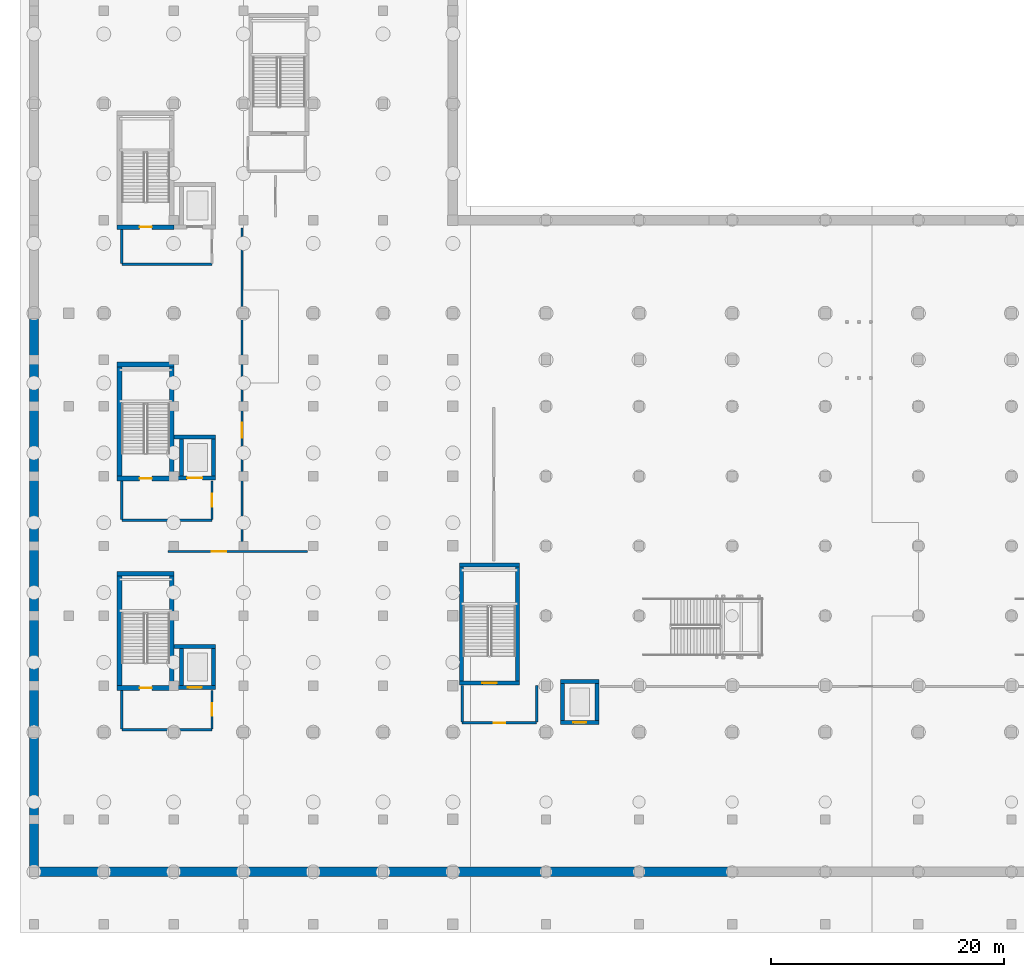
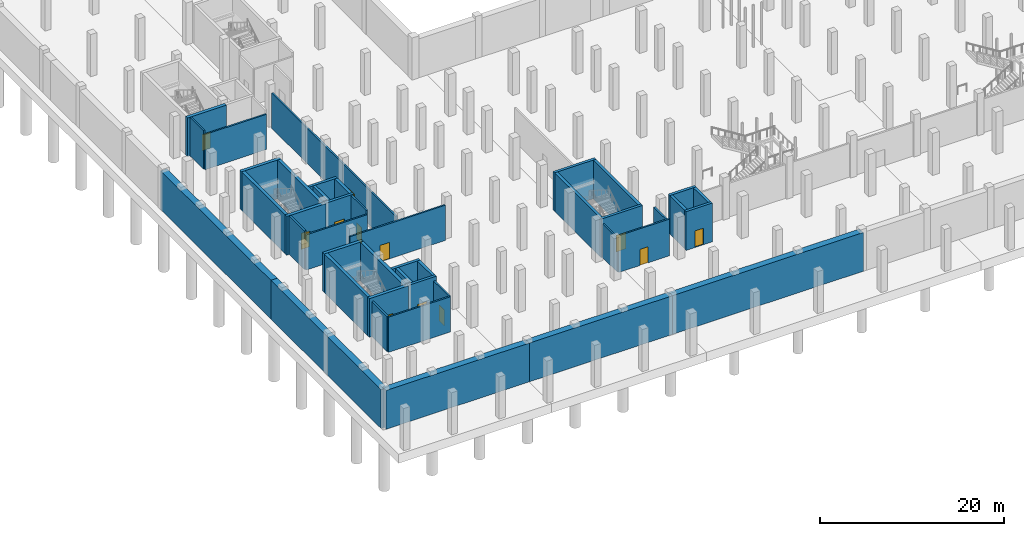
# One storey, part 11 of 26: 43 walls, 12 doors, 12 openings.
"""IFC4 building model written with IfcOpenShell, lengths in metres."""

from ifc_helpers import new_model, si_unit, direction, frame, frame_2d, origin, place, context, subcontext, project, spatial, rectangle, extrude, material, layer, layer_set, type_object, element, fill, save


model = new_model("IFC4")

# Units and contexts
model_context = context("Model", 3, precision=1e-05, world=origin(), true_north=direction((0.0, 1.0)))
body_context = subcontext(model_context, "Body", "Model", "MODEL_VIEW")
ifc_project = project(units=[si_unit("LENGTHUNIT", "METRE"), si_unit("AREAUNIT", "SQUARE_METRE"), si_unit("VOLUMEUNIT", "CUBIC_METRE"), si_unit("PLANEANGLEUNIT", "RADIAN"), si_unit("MASSUNIT", "GRAM", prefix="KILO")], contexts=[model_context])

# Site, building, storey
site_placement = place(None, origin())
site = spatial("IfcSite", under=ifc_project, at=site_placement, CompositionType="ELEMENT")
building_placement = place(site_placement, origin())
building = spatial("IfcBuilding", under=site, at=building_placement, Name="Verrall Gate Interchange", CompositionType="ELEMENT")
storey_placement = place(building_placement, frame((0.0, 0.0, -10.39990234375)))
storey = spatial("IfcBuildingStorey", under=building, at=storey_placement, Name="B2", CompositionType="ELEMENT", Elevation=-10.39990234375)

# Walls
ifc_material_1 = material(Name="Fire-Rated Type X Gypsum Stud Partition Assembly (60 min)", Category="gypsum")
ifc_layer_1 = layer(ifc_material_1, 0.199951171875)
ifc_layer_set_1 = layer_set([ifc_layer_1], Name="Fire-Rated Type X Gypsum Stud Partition Assembly (60 min)")
wall_type_1 = type_object("IfcWallType", Name="IW-01 Interior Partition Wall 200", PredefinedType="PARTITIONING", material=ifc_layer_set_1)
wall_1_placement = place(storey_placement, frame((7.550048828125, 12.199951171875, 0.0), z_axis=(0.0, 0.0, 1.0), x_axis=(1.0, 0.0, 0.0)))
element("IfcWall", 1, at=wall_1_placement, inside=storey, type_object=wall_type_1, Name="B2 Core C1 Lobby South Rated Wall", PredefinedType="PARTITIONING", context=body_context, shape_type="SweptSolid", body=[
    extrude(rectangle(XDim=7.75, YDim=0.199951171875, at=frame_2d((3.875, 0.0))), origin(), (0.0, 0.0, 1.0), 4.679931640625),
])
wall_2_placement = place(storey_placement, frame((7.550048828125, 15.60009765625, 0.0), z_axis=(0.0, 0.0, 1.0), x_axis=(0.0, -1.0, 0.0)))
element("IfcWall", 2, at=wall_2_placement, inside=storey, type_object=wall_type_1, Name="B2 Core C1 Lobby West Rated Wall", PredefinedType="PARTITIONING", context=body_context, shape_type="SweptSolid", body=[
    extrude(rectangle(XDim=3.320068359375, YDim=0.199951171875, at=frame_2d((1.66015625, 0.0))), origin(), (0.0, 0.0, 1.0), 4.679931640625),
])

# Wall, opening, door
wall_3_placement = place(storey_placement, frame((15.300048828125, 12.280029296875, 0.0), z_axis=(0.0, 0.0, 1.0), x_axis=(0.0, 1.0, 0.0)))
wall_3 = element("IfcWall", 3, at=wall_3_placement, inside=storey, type_object=wall_type_1, Name="B2 Core C1 Lobby East Rated Wall", PredefinedType="PARTITIONING", context=body_context, shape_type="SweptSolid", body=[
    extrude(rectangle(XDim=3.320068359375, YDim=0.199951171875, at=frame_2d((1.66015625, 0.0))), origin(), (0.0, 0.0, 1.0), 4.679931640625),
])
opening_1_placement = place(wall_3_placement, frame((1.110107421875, 0.0, 0.0)))
opening_1 = element("IfcOpeningElement", 4, at=opening_1_placement, cuts=wall_3, Name="Opening LBD010", PredefinedType="OPENING", context=body_context, shape_type="SweptSolid", body=[
    extrude(rectangle(XDim=1.10009765625, YDim=2.14990234375, at=frame_2d((0.550048828125, 1.074951171875))), frame((0.0, 0.11474609375, 0.0), z_axis=(0.0, -1.0, 0.0), x_axis=(1.0, 0.0, 0.0)), (0.0, 0.0, 1.0), 0.229736328125),
])
ifc_material_2 = material(Name="Hollow-Metal Fire-Rated Door Assembly", Category="metal")
door_type_1 = type_object("IfcDoorType", Name="ID-06 Interior Swing Door 1100x2150", OperationType="NOTDEFINED", PredefinedType="DOOR", material=ifc_material_2)
door_1_placement = place(opening_1_placement, origin())
door_1 = element("IfcDoor", 5, at=door_1_placement, inside=storey, type_object=door_type_1, Name="B2 Core C1 Lobby Fire Door LBD010", OperationType="SINGLE_SWING_RIGHT", OverallHeight=2.14990234375, OverallWidth=1.10009765625, PredefinedType="DOOR", context=body_context, shape_type="SweptSolid", body=[
    extrude(rectangle(XDim=1.10009765625, YDim=2.14990234375, at=frame_2d((0.550048828125, 1.074951171875))), frame((0.0, 0.02490234375, 0.0), z_axis=(0.0, -1.0, 0.0), x_axis=(1.0, 0.0, 0.0)), (0.0, 0.0, 1.0), 0.050048828125),
])
fill(opening_1, door_1)

# Walls
wall_4_placement = place(storey_placement, frame((7.550048828125, 30.199951171875, 0.0), z_axis=(0.0, 0.0, 1.0), x_axis=(1.0, 0.0, 0.0)))
element("IfcWall", 6, at=wall_4_placement, inside=storey, type_object=wall_type_1, Name="B2 Core C2 Lobby South Rated Wall", PredefinedType="PARTITIONING", context=body_context, shape_type="SweptSolid", body=[
    extrude(rectangle(XDim=7.75, YDim=0.199951171875, at=frame_2d((3.875, 0.0))), origin(), (0.0, 0.0, 1.0), 4.679931640625),
])
wall_5_placement = place(storey_placement, frame((7.550048828125, 33.60009765625, 0.0), z_axis=(0.0, 0.0, 1.0), x_axis=(0.0, -1.0, 0.0)))
element("IfcWall", 7, at=wall_5_placement, inside=storey, type_object=wall_type_1, Name="B2 Core C2 Lobby West Rated Wall", PredefinedType="PARTITIONING", context=body_context, shape_type="SweptSolid", body=[
    extrude(rectangle(XDim=3.320068359375, YDim=0.199951171875, at=frame_2d((1.66015625, 0.0))), origin(), (0.0, 0.0, 1.0), 5.14990234375),
])

# Wall, opening, door
wall_6_placement = place(storey_placement, frame((15.300048828125, 30.280029296875, 0.0), z_axis=(0.0, 0.0, 1.0), x_axis=(0.0, 1.0, 0.0)))
wall_6 = element("IfcWall", 8, at=wall_6_placement, inside=storey, type_object=wall_type_1, Name="B2 Core C2 Lobby East Rated Wall", PredefinedType="PARTITIONING", context=body_context, shape_type="SweptSolid", body=[
    extrude(rectangle(XDim=3.320068359375, YDim=0.199951171875, at=frame_2d((1.66015625, 0.0))), origin(), (0.0, 0.0, 1.0), 5.14990234375),
])
opening_2_placement = place(wall_6_placement, frame((1.110107421875, 0.0, 0.0)))
opening_2 = element("IfcOpeningElement", 9, at=opening_2_placement, cuts=wall_6, Name="Opening LBD028", PredefinedType="OPENING", context=body_context, shape_type="SweptSolid", body=[
    extrude(rectangle(XDim=1.10009765625, YDim=2.14990234375, at=frame_2d((0.550048828125, 1.074951171875))), frame((0.0, 0.11474609375, 0.0), z_axis=(0.0, -1.0, 0.0), x_axis=(1.0, 0.0, 0.0)), (0.0, 0.0, 1.0), 0.229736328125),
])
door_2_placement = place(opening_2_placement, origin())
door_2 = element("IfcDoor", 10, at=door_2_placement, inside=storey, type_object=door_type_1, Name="B2 Core C2 Lobby Fire Door LBD028", OperationType="SINGLE_SWING_RIGHT", OverallHeight=2.14990234375, OverallWidth=1.10009765625, PredefinedType="DOOR", context=body_context, shape_type="SweptSolid", body=[
    extrude(rectangle(XDim=1.10009765625, YDim=2.14990234375, at=frame_2d((0.550048828125, 1.074951171875))), frame((0.0, 0.02490234375, 0.0), z_axis=(0.0, -1.0, 0.0), x_axis=(1.0, 0.0, 0.0)), (0.0, 0.0, 1.0), 0.050048828125),
])
fill(opening_2, door_2)

# Walls
wall_7_placement = place(storey_placement, frame((7.550048828125, 52.199951171875, 0.0), z_axis=(0.0, 0.0, 1.0), x_axis=(1.0, 0.0, 0.0)))
element("IfcWall", 11, at=wall_7_placement, inside=storey, type_object=wall_type_1, Name="B2 Core C3 Lobby South Rated Wall", PredefinedType="PARTITIONING", context=body_context, shape_type="SweptSolid", body=[
    extrude(rectangle(XDim=7.75, YDim=0.199951171875, at=frame_2d((3.875, 0.0))), origin(), (0.0, 0.0, 1.0), 4.679931640625),
])
wall_8_placement = place(storey_placement, frame((7.550048828125, 55.199951171875, 0.0), z_axis=(0.0, 0.0, 1.0), x_axis=(0.0, -1.0, 0.0)))
element("IfcWall", 12, at=wall_8_placement, inside=storey, type_object=wall_type_1, Name="B2 Core C3 Lobby West Rated Wall", PredefinedType="PARTITIONING", context=body_context, shape_type="SweptSolid", body=[
    extrude(rectangle(XDim=2.919921875, YDim=0.199951171875, at=frame_2d((1.4599609375, 0.0))), origin(), (0.0, 0.0, 1.0), 5.14990234375),
])

# Wall, opening, door
wall_9_placement = place(storey_placement, frame((36.800048828125, 12.800048828125, 0.0), z_axis=(0.0, 0.0, 1.0), x_axis=(1.0, 0.0, 0.0)))
wall_9 = element("IfcWall", 13, at=wall_9_placement, inside=storey, type_object=wall_type_1, Name="B2 Core C5 Lobby South Rated Wall", PredefinedType="PARTITIONING", context=body_context, shape_type="SweptSolid", body=[
    extrude(rectangle(XDim=6.39990234375, YDim=0.199951171875, at=frame_2d((3.199951171875, 0.0))), origin(), (0.0, 0.0, 1.0), 4.876953125),
])
opening_3_placement = place(wall_9_placement, frame((2.699951171875, 0.0, 0.0)))
opening_3 = element("IfcOpeningElement", 14, at=opening_3_placement, cuts=wall_9, Name="Opening LBD067", PredefinedType="OPENING", context=body_context, shape_type="SweptSolid", body=[
    extrude(rectangle(XDim=1.0, YDim=2.14990234375, at=frame_2d((0.5, 1.074951171875))), frame((0.0, 0.11474609375, 0.0), z_axis=(0.0, -1.0, 0.0), x_axis=(1.0, 0.0, 0.0)), (0.0, 0.0, 1.0), 0.229736328125),
])
ifc_material_3 = material(Name="Hollow-Metal Fire-Rated Door Assembly", Category="metal")
door_type_2 = type_object("IfcDoorType", Name="ID-05 Interior Swing Door 1000x2150", OperationType="NOTDEFINED", PredefinedType="DOOR", material=ifc_material_3)
door_3_placement = place(opening_3_placement, origin())
door_3 = element("IfcDoor", 15, at=door_3_placement, inside=storey, type_object=door_type_2, Name="B2 Core C5 Lobby Fire Door LBD067", OperationType="SINGLE_SWING_LEFT", OverallHeight=2.14990234375, OverallWidth=1.0, PredefinedType="DOOR", context=body_context, shape_type="SweptSolid", body=[
    extrude(rectangle(XDim=1.0, YDim=2.14990234375, at=frame_2d((0.5, 1.074951171875))), frame((0.0, 0.02490234375, 0.0), z_axis=(0.0, -1.0, 0.0), x_axis=(1.0, 0.0, 0.0)), (0.0, 0.0, 1.0), 0.050048828125),
])
fill(opening_3, door_3)

# Walls
for number, where, z_axis, x_axis, name in (
    (16, (36.800048828125, 16.0, 0.0), (0.0, 0.0, 1.0), (0.0, -1.0, 0.0), "B2 Core C5 Lobby West Rated Wall"),
    (17, (43.199951171875, 12.8798828125, 0.0), (0.0, 0.0, 1.0), (0.0, 1.0, 0.0), "B2 Core C5 Lobby East Rated Wall"),
):
    element("IfcWall", number, at=place(storey_placement, frame(where, z_axis=z_axis, x_axis=x_axis)), inside=storey, type_object=wall_type_1, Name=name, PredefinedType="PARTITIONING", context=body_context, shape_type="SweptSolid", body=[
        extrude(rectangle(XDim=3.1201171875, YDim=0.199951171875, at=frame_2d((1.56005859375, 0.0))), origin(), (0.0, 0.0, 1.0), 4.47998046875),
    ])

# Wall, opening, door
wall_10_placement = place(storey_placement, frame((11.52001953125, 27.52001953125, 0.0), z_axis=(0.0, 0.0, 1.0), x_axis=(1.0, 0.0, 0.0)))
wall_10 = element("IfcWall", 18, at=wall_10_placement, inside=storey, type_object=wall_type_1, Name="B2 West Metro Tunnel Ventilation Fan Plant Partition 003", PredefinedType="PARTITIONING", context=body_context, shape_type="SweptSolid", body=[
    extrude(rectangle(XDim=12.0, YDim=0.199951171875, at=frame_2d((6.0, 0.0))), origin(), (0.0, 0.0, 1.0), 4.679931640625),
])
opening_4_placement = place(wall_10_placement, frame((3.77294921875, 0.0, 0.0)))
opening_4 = element("IfcOpeningElement", 19, at=opening_4_placement, cuts=wall_10, Name="Opening D003", PredefinedType="OPENING", context=body_context, shape_type="SweptSolid", body=[
    extrude(rectangle(XDim=1.219970703125, YDim=2.199951171875, at=frame_2d((0.60986328125, 1.10009765625))), frame((0.0, 0.11474609375, 0.0), z_axis=(0.0, -1.0, 0.0), x_axis=(1.0, 0.0, 0.0)), (0.0, 0.0, 1.0), 0.229736328125),
])
ifc_material_4 = material(Name="Hollow-Metal Fire-Rated Door Assembly", Category="metal")
door_type_3 = type_object("IfcDoorType", Name="ID-07 Interior Swing Door 1220x2200", OperationType="NOTDEFINED", PredefinedType="DOOR", material=ifc_material_4)
door_4_placement = place(opening_4_placement, origin())
door_4 = element("IfcDoor", 20, at=door_4_placement, inside=storey, type_object=door_type_3, Name="B2 West Metro Tunnel Ventilation Fan Plant Door D003", OperationType="SINGLE_SWING_RIGHT", OverallHeight=2.199951171875, OverallWidth=1.219970703125, PredefinedType="DOOR", context=body_context, shape_type="SweptSolid", body=[
    extrude(rectangle(XDim=1.219970703125, YDim=2.199951171875, at=frame_2d((0.60986328125, 1.10009765625))), frame((0.0, 0.02490234375, 0.0), z_axis=(0.0, -1.0, 0.0), x_axis=(1.0, 0.0, 0.0)), (0.0, 0.0, 1.0), 0.050048828125),
])
fill(opening_4, door_4)

wall_11_placement = place(storey_placement, frame((17.8798828125, 28.280029296875, 0.0), z_axis=(0.0, 0.0, 1.0), x_axis=(0.0, 1.0, 0.0)))
wall_11 = element("IfcWall", 21, at=wall_11_placement, inside=storey, type_object=wall_type_1, Name="B2 West Under-Platform Exhaust Plant Partition 004", PredefinedType="PARTITIONING", context=body_context, shape_type="SweptSolid", body=[
    extrude(rectangle(XDim=27.0400390625, YDim=0.199951171875, at=frame_2d((13.52001953125, 0.0))), origin(), (0.0, 0.0, 1.0), 4.679931640625),
])
opening_5_placement = place(wall_11_placement, frame((9.001953125, 0.0, 0.0)))
opening_5 = element("IfcOpeningElement", 22, at=opening_5_placement, cuts=wall_11, Name="Opening D004", PredefinedType="OPENING", context=body_context, shape_type="SweptSolid", body=[
    extrude(rectangle(XDim=1.320068359375, YDim=2.199951171875, at=frame_2d((0.66015625, 1.10009765625))), frame((0.0, 0.11474609375, 0.0), z_axis=(0.0, -1.0, 0.0), x_axis=(1.0, 0.0, 0.0)), (0.0, 0.0, 1.0), 0.229736328125),
])
ifc_material_5 = material(Name="Hollow-Metal Fire-Rated Door Assembly", Category="metal")
door_type_4 = type_object("IfcDoorType", Name="ID-08 Interior Swing Door 1320x2200", OperationType="NOTDEFINED", PredefinedType="DOOR", material=ifc_material_5)
door_5_placement = place(opening_5_placement, origin())
door_5 = element("IfcDoor", 23, at=door_5_placement, inside=storey, type_object=door_type_4, Name="B2 West Under-Platform Exhaust Plant Door D004", OperationType="SINGLE_SWING_LEFT", OverallHeight=2.199951171875, OverallWidth=1.320068359375, PredefinedType="DOOR", context=body_context, shape_type="SweptSolid", body=[
    extrude(rectangle(XDim=1.320068359375, YDim=2.199951171875, at=frame_2d((0.66015625, 1.10009765625))), frame((0.0, 0.02490234375, 0.0), z_axis=(0.0, -1.0, 0.0), x_axis=(1.0, 0.0, 0.0)), (0.0, 0.0, 1.0), 0.050048828125),
])
fill(opening_5, door_5)

# Walls
ifc_material_6 = material(Name="Concrete CSA A23.1 35 MPa (Class S-2)", Category="concrete")
ifc_layer_2 = layer(ifc_material_6, 0.800048828125)
ifc_layer_set_2 = layer_set([ifc_layer_2], Name="Concrete CSA A23.1 35 MPa (Class S-2)")
wall_type_2 = type_object("IfcWallType", Name="RW-01 Diaphragm Retaining Wall 800", PredefinedType="USERDEFINED", material=ifc_layer_set_2)
for number, where, z_axis, x_axis, name in (
    (24, (0.0, 0.0, 0.0), (0.0, 0.0, 1.0), (1.0, 0.0, 0.0), "B2 Diaphragm Retaining Wall 001"),
    (25, (18.0, 0.0, 0.0), (0.0, 0.0, 1.0), (1.0, 0.0, 0.0), "B2 Diaphragm Retaining Wall 002"),
):
    element("IfcWall", number, at=place(storey_placement, frame(where, z_axis=z_axis, x_axis=x_axis)), inside=storey, type_object=wall_type_2, Name=name, ObjectType="RETAININGWALL", PredefinedType="USERDEFINED", context=body_context, shape_type="SweptSolid", body=[
        extrude(rectangle(XDim=18.0, YDim=0.800048828125, at=frame_2d((9.0, 0.0))), origin(), (0.0, 0.0, 1.0), 5.14990234375),
    ])
for number, where, z_axis, x_axis, name in (
    (26, (36.0, 0.0, 0.0), (0.0, 0.0, 1.0), (1.0, 0.0, 0.0), "B2 Diaphragm Retaining Wall 003"),
    (27, (0.0, 48.0, 0.0), (0.0, 0.0, 1.0), (0.0, -1.0, 0.0), "B2 Diaphragm Retaining Wall 023"),
    (28, (0.0, 24.0, 0.0), (0.0, 0.0, 1.0), (0.0, -1.0, 0.0), "B2 Diaphragm Retaining Wall 024"),
):
    element("IfcWall", number, at=place(storey_placement, frame(where, z_axis=z_axis, x_axis=x_axis)), inside=storey, type_object=wall_type_2, Name=name, ObjectType="RETAININGWALL", PredefinedType="USERDEFINED", context=body_context, shape_type="SweptSolid", body=[
        extrude(rectangle(XDim=24.0, YDim=0.800048828125, at=frame_2d((12.0, 0.0))), origin(), (0.0, 0.0, 1.0), 5.14990234375),
    ])

# Wall, opening, door
ifc_material_7 = material(Name="Concrete CSA A23.1 40 MPa (Class N)", Category="concrete")
ifc_layer_3 = layer(ifc_material_7, 0.39990234375)
ifc_layer_set_3 = layer_set([ifc_layer_3], Name="Concrete CSA A23.1 40 MPa (Class N)")
wall_type_3 = type_object("IfcWallType", Name="SW-01 Core Shear Wall 400", PredefinedType="SHEAR", material=ifc_layer_set_3)
wall_12_placement = place(storey_placement, frame((7.14990234375, 15.800048828125, 0.0), z_axis=(0.0, 0.0, 1.0), x_axis=(1.0, 0.0, 0.0)))
wall_12 = element("IfcWall", 29, at=wall_12_placement, inside=storey, type_object=wall_type_3, Name="B2 Core C1 South Shear Wall", PredefinedType="SHEAR", context=body_context, shape_type="SweptSolid", body=[
    extrude(rectangle(XDim=4.900146484375, YDim=0.39990234375, at=frame_2d((2.4501953125, 0.0))), origin(), (0.0, 0.0, 1.0), 5.14990234375),
])
opening_6_placement = place(wall_12_placement, frame((1.925048828125, 0.0, 0.0)))
opening_6 = element("IfcOpeningElement", 30, at=opening_6_placement, cuts=wall_12, Name="Opening SD001", PredefinedType="OPENING", context=body_context, shape_type="SweptSolid", body=[
    extrude(rectangle(XDim=1.050048828125, YDim=2.14990234375, at=frame_2d((0.52490234375, 1.074951171875))), frame((0.0, 0.21484375, 0.0), z_axis=(0.0, -1.0, 0.0), x_axis=(1.0, 0.0, 0.0)), (0.0, 0.0, 1.0), 0.4296875),
])
ifc_material_8 = material(Name="Hollow-Metal Fire-Rated Door Assembly", Category="metal")
door_type_5 = type_object("IfcDoorType", Name="ID-01 Interior Swing Door 1050x2150", OperationType="NOTDEFINED", PredefinedType="DOOR", material=ifc_material_8)
door_6_placement = place(opening_6_placement, origin())
door_6 = element("IfcDoor", 31, at=door_6_placement, inside=storey, type_object=door_type_5, Name="B2 Stair ST-01 Fire Door SD001", OperationType="SINGLE_SWING_LEFT", OverallHeight=2.14990234375, OverallWidth=1.050048828125, PredefinedType="DOOR", context=body_context, shape_type="SweptSolid", body=[
    extrude(rectangle(XDim=1.050048828125, YDim=2.14990234375, at=frame_2d((0.52490234375, 1.074951171875))), frame((0.0, 0.02490234375, 0.0), z_axis=(0.0, -1.0, 0.0), x_axis=(1.0, 0.0, 0.0)), (0.0, 0.0, 1.0), 0.050048828125),
])
fill(opening_6, door_6)

# Walls
wall_13_placement = place(storey_placement, frame((12.050048828125, 25.60009765625, 0.0), z_axis=(0.0, 0.0, 1.0), x_axis=(-1.0, 0.0, 0.0)))
element("IfcWall", 32, at=wall_13_placement, inside=storey, type_object=wall_type_3, Name="B2 Core C1 North Shear Wall", PredefinedType="SHEAR", context=body_context, shape_type="SweptSolid", body=[
    extrude(rectangle(XDim=4.900146484375, YDim=0.39990234375, at=frame_2d((2.4501953125, 0.0))), origin(), (0.0, 0.0, 1.0), 5.14990234375),
])
for number, where, z_axis, x_axis, name in (
    (33, (7.35009765625, 25.39990234375, 0.0), (0.0, 0.0, 1.0), (0.0, -1.0, 0.0), "B2 Core C1 West Shear Wall"),
    (34, (11.85009765625, 16.0, 0.0), (0.0, 0.0, 1.0), (0.0, 1.0, 0.0), "B2 Core C1 East Shear Wall"),
):
    element("IfcWall", number, at=place(storey_placement, frame(where, z_axis=z_axis, x_axis=x_axis)), inside=storey, type_object=wall_type_3, Name=name, PredefinedType="SHEAR", context=body_context, shape_type="SweptSolid", body=[
        extrude(rectangle(XDim=9.39990234375, YDim=0.39990234375, at=frame_2d((4.699951171875, 0.0))), origin(), (0.0, 0.0, 1.0), 5.14990234375),
    ])

# Wall, opening, door
wall_14_placement = place(storey_placement, frame((7.14990234375, 33.800048828125, 0.0), z_axis=(0.0, 0.0, 1.0), x_axis=(1.0, 0.0, 0.0)))
wall_14 = element("IfcWall", 35, at=wall_14_placement, inside=storey, type_object=wall_type_3, Name="B2 Core C2 South Shear Wall", PredefinedType="SHEAR", context=body_context, shape_type="SweptSolid", body=[
    extrude(rectangle(XDim=4.900146484375, YDim=0.39990234375, at=frame_2d((2.4501953125, 0.0))), origin(), (0.0, 0.0, 1.0), 5.14990234375),
])
opening_7_placement = place(wall_14_placement, frame((1.925048828125, 0.0, 0.0)))
opening_7 = element("IfcOpeningElement", 36, at=opening_7_placement, cuts=wall_14, Name="Opening SD019", PredefinedType="OPENING", context=body_context, shape_type="SweptSolid", body=[
    extrude(rectangle(XDim=1.050048828125, YDim=2.14990234375, at=frame_2d((0.52490234375, 1.074951171875))), frame((0.0, 0.21484375, 0.0), z_axis=(0.0, -1.0, 0.0), x_axis=(1.0, 0.0, 0.0)), (0.0, 0.0, 1.0), 0.4296875),
])
door_7_placement = place(opening_7_placement, origin())
door_7 = element("IfcDoor", 37, at=door_7_placement, inside=storey, type_object=door_type_5, Name="B2 Stair ST-02 Fire Door SD019", OperationType="SINGLE_SWING_LEFT", OverallHeight=2.14990234375, OverallWidth=1.050048828125, PredefinedType="DOOR", context=body_context, shape_type="SweptSolid", body=[
    extrude(rectangle(XDim=1.050048828125, YDim=2.14990234375, at=frame_2d((0.52490234375, 1.074951171875))), frame((0.0, 0.02490234375, 0.0), z_axis=(0.0, -1.0, 0.0), x_axis=(1.0, 0.0, 0.0)), (0.0, 0.0, 1.0), 0.050048828125),
])
fill(opening_7, door_7)

# Walls
wall_15_placement = place(storey_placement, frame((12.050048828125, 43.60009765625, 0.0), z_axis=(0.0, 0.0, 1.0), x_axis=(-1.0, 0.0, 0.0)))
element("IfcWall", 38, at=wall_15_placement, inside=storey, type_object=wall_type_3, Name="B2 Core C2 North Shear Wall", PredefinedType="SHEAR", context=body_context, shape_type="SweptSolid", body=[
    extrude(rectangle(XDim=4.900146484375, YDim=0.39990234375, at=frame_2d((2.4501953125, 0.0))), origin(), (0.0, 0.0, 1.0), 5.14990234375),
])
for number, where, z_axis, x_axis, name in (
    (39, (7.35009765625, 43.39990234375, 0.0), (0.0, 0.0, 1.0), (0.0, -1.0, 0.0), "B2 Core C2 West Shear Wall"),
    (40, (11.85009765625, 34.0, 0.0), (0.0, 0.0, 1.0), (0.0, 1.0, 0.0), "B2 Core C2 East Shear Wall"),
):
    element("IfcWall", number, at=place(storey_placement, frame(where, z_axis=z_axis, x_axis=x_axis)), inside=storey, type_object=wall_type_3, Name=name, PredefinedType="SHEAR", context=body_context, shape_type="SweptSolid", body=[
        extrude(rectangle(XDim=9.39990234375, YDim=0.39990234375, at=frame_2d((4.699951171875, 0.0))), origin(), (0.0, 0.0, 1.0), 5.14990234375),
    ])

# Wall, opening, door
wall_16_placement = place(storey_placement, frame((7.14990234375, 55.39990234375, 0.0), z_axis=(0.0, 0.0, 1.0), x_axis=(1.0, 0.0, 0.0)))
wall_16 = element("IfcWall", 41, at=wall_16_placement, inside=storey, type_object=wall_type_3, Name="B2 Core C3 South Shear Wall", PredefinedType="SHEAR", context=body_context, shape_type="SweptSolid", body=[
    extrude(rectangle(XDim=4.900146484375, YDim=0.39990234375, at=frame_2d((2.4501953125, 0.0))), origin(), (0.0, 0.0, 1.0), 5.14990234375),
])
opening_8_placement = place(wall_16_placement, frame((1.925048828125, 0.0, 0.0)))
opening_8 = element("IfcOpeningElement", 42, at=opening_8_placement, cuts=wall_16, Name="Opening SD037", PredefinedType="OPENING", context=body_context, shape_type="SweptSolid", body=[
    extrude(rectangle(XDim=1.050048828125, YDim=2.14990234375, at=frame_2d((0.52490234375, 1.074951171875))), frame((0.0, 0.21484375, 0.0), z_axis=(0.0, -1.0, 0.0), x_axis=(1.0, 0.0, 0.0)), (0.0, 0.0, 1.0), 0.4296875),
])
door_8_placement = place(opening_8_placement, origin())
door_8 = element("IfcDoor", 43, at=door_8_placement, inside=storey, type_object=door_type_5, Name="B2 Stair ST-03 Fire Door SD037", OperationType="SINGLE_SWING_LEFT", OverallHeight=2.14990234375, OverallWidth=1.050048828125, PredefinedType="DOOR", context=body_context, shape_type="SweptSolid", body=[
    extrude(rectangle(XDim=1.050048828125, YDim=2.14990234375, at=frame_2d((0.52490234375, 1.074951171875))), frame((0.0, 0.02490234375, 0.0), z_axis=(0.0, -1.0, 0.0), x_axis=(1.0, 0.0, 0.0)), (0.0, 0.0, 1.0), 0.050048828125),
])
fill(opening_8, door_8)

ifc_material_9 = material(Name="Concrete CSA A23.1 40 MPa (Class N)", Category="concrete")
ifc_layer_4 = layer(ifc_material_9, 0.340087890625)
ifc_layer_set_4 = layer_set([ifc_layer_4], Name="Concrete CSA A23.1 40 MPa (Class N)")
wall_type_4 = type_object("IfcWallType", Name="SW-02 Core Shear Wall 340", PredefinedType="SHEAR", material=ifc_layer_set_4)
wall_17_placement = place(storey_placement, frame((12.050048828125, 15.830078125, 0.0), z_axis=(0.0, 0.0, 1.0), x_axis=(1.0, 0.0, 0.0)))
wall_17 = element("IfcWall", 44, at=wall_17_placement, inside=storey, type_object=wall_type_4, Name="B2 Elevator EL-01 South Shaft Wall", PredefinedType="SHEAR", context=body_context, shape_type="SweptSolid", body=[
    extrude(rectangle(XDim=3.5400390625, YDim=0.340087890625, at=frame_2d((1.77001953125, 0.0))), origin(), (0.0, 0.0, 1.0), 5.14990234375),
])
opening_9_placement = place(wall_17_placement, frame((1.169921875, 0.0, 0.0)))
opening_9 = element("IfcOpeningElement", 45, at=opening_9_placement, cuts=wall_17, Name="Opening LD-01-B2", PredefinedType="OPENING", context=body_context, shape_type="SweptSolid", body=[
    extrude(rectangle(XDim=1.199951171875, YDim=2.199951171875, at=frame_2d((0.60009765625, 1.10009765625))), frame((0.0, 0.18505859375, 0.0), z_axis=(0.0, -1.0, 0.0), x_axis=(1.0, 0.0, 0.0)), (0.0, 0.0, 1.0), 0.369873046875),
])
ifc_material_10 = material(Name="Stainless-Steel Elevator Landing Sliding Door Assembly", Category="steel")
door_type_6 = type_object("IfcDoorType", Name="LD-02 Elevator Sliding Landing Door 1200x2200", OperationType="NOTDEFINED", PredefinedType="DOOR", material=ifc_material_10)
door_9_placement = place(opening_9_placement, origin())
door_9 = element("IfcDoor", 46, at=door_9_placement, inside=storey, type_object=door_type_6, Name="B2 Elevator EL-01 Sliding Landing Door", OperationType="DOUBLE_DOOR_SLIDING", OverallHeight=2.199951171875, OverallWidth=1.199951171875, PredefinedType="DOOR", context=body_context, shape_type="SweptSolid", body=[
    extrude(rectangle(XDim=1.199951171875, YDim=2.199951171875, at=frame_2d((0.60009765625, 1.10009765625))), frame((0.0, 0.02490234375, 0.0), z_axis=(0.0, -1.0, 0.0), x_axis=(1.0, 0.0, 0.0)), (0.0, 0.0, 1.0), 0.050048828125),
])
fill(opening_9, door_9)

# Walls
wall_18_placement = place(storey_placement, frame((15.590087890625, 19.3701171875, 0.0), z_axis=(0.0, 0.0, 1.0), x_axis=(-1.0, 0.0, 0.0)))
element("IfcWall", 47, at=wall_18_placement, inside=storey, type_object=wall_type_4, Name="B2 Elevator EL-01 North Shaft Wall", PredefinedType="SHEAR", context=body_context, shape_type="SweptSolid", body=[
    extrude(rectangle(XDim=3.5400390625, YDim=0.340087890625, at=frame_2d((1.77001953125, 0.0))), origin(), (0.0, 0.0, 1.0), 5.14990234375),
])
for number, where, z_axis, x_axis, name in (
    (48, (12.679931640625, 19.199951171875, 0.0), (0.0, 0.0, 1.0), (0.0, -1.0, 0.0), "B2 Elevator EL-01 West Shaft Wall"),
    (49, (15.419921875, 16.0, 0.0), (0.0, 0.0, 1.0), (0.0, 1.0, 0.0), "B2 Elevator EL-01 East Shaft Wall"),
):
    element("IfcWall", number, at=place(storey_placement, frame(where, z_axis=z_axis, x_axis=x_axis)), inside=storey, type_object=wall_type_4, Name=name, PredefinedType="SHEAR", context=body_context, shape_type="SweptSolid", body=[
        extrude(rectangle(XDim=3.199951171875, YDim=0.340087890625, at=frame_2d((1.60009765625, 0.0))), origin(), (0.0, 0.0, 1.0), 5.14990234375),
    ])

# Wall, opening, door
wall_19_placement = place(storey_placement, frame((12.050048828125, 33.830078125, 0.0), z_axis=(0.0, 0.0, 1.0), x_axis=(1.0, 0.0, 0.0)))
wall_19 = element("IfcWall", 50, at=wall_19_placement, inside=storey, type_object=wall_type_4, Name="B2 Elevator EL-02 South Shaft Wall", PredefinedType="SHEAR", context=body_context, shape_type="SweptSolid", body=[
    extrude(rectangle(XDim=3.5400390625, YDim=0.340087890625, at=frame_2d((1.77001953125, 0.0))), origin(), (0.0, 0.0, 1.0), 5.14990234375),
])
opening_10_placement = place(wall_19_placement, frame((1.1201171875, 0.0, 0.0)))
opening_10 = element("IfcOpeningElement", 51, at=opening_10_placement, cuts=wall_19, Name="Opening LD-02-B2", PredefinedType="OPENING", context=body_context, shape_type="SweptSolid", body=[
    extrude(rectangle(XDim=1.300048828125, YDim=2.25, at=frame_2d((0.64990234375, 1.125))), frame((0.0, 0.18505859375, 0.0), z_axis=(0.0, -1.0, 0.0), x_axis=(1.0, 0.0, 0.0)), (0.0, 0.0, 1.0), 0.369873046875),
])
ifc_material_11 = material(Name="Stainless-Steel Elevator Landing Sliding Door Assembly", Category="steel")
door_type_7 = type_object("IfcDoorType", Name="LD-03 Elevator Sliding Landing Door 1300x2250", OperationType="NOTDEFINED", PredefinedType="DOOR", material=ifc_material_11)
door_10_placement = place(opening_10_placement, origin())
door_10 = element("IfcDoor", 52, at=door_10_placement, inside=storey, type_object=door_type_7, Name="B2 Elevator EL-02 Sliding Landing Door", OperationType="DOUBLE_DOOR_SLIDING", OverallHeight=2.25, OverallWidth=1.300048828125, PredefinedType="DOOR", context=body_context, shape_type="SweptSolid", body=[
    extrude(rectangle(XDim=1.300048828125, YDim=2.25, at=frame_2d((0.64990234375, 1.125))), frame((0.0, 0.02490234375, 0.0), z_axis=(0.0, -1.0, 0.0), x_axis=(1.0, 0.0, 0.0)), (0.0, 0.0, 1.0), 0.050048828125),
])
fill(opening_10, door_10)

# Walls
wall_20_placement = place(storey_placement, frame((15.590087890625, 37.3701171875, 0.0), z_axis=(0.0, 0.0, 1.0), x_axis=(-1.0, 0.0, 0.0)))
element("IfcWall", 53, at=wall_20_placement, inside=storey, type_object=wall_type_4, Name="B2 Elevator EL-02 North Shaft Wall", PredefinedType="SHEAR", context=body_context, shape_type="SweptSolid", body=[
    extrude(rectangle(XDim=3.5400390625, YDim=0.340087890625, at=frame_2d((1.77001953125, 0.0))), origin(), (0.0, 0.0, 1.0), 5.14990234375),
])
for number, where, z_axis, x_axis, name in (
    (54, (12.679931640625, 37.199951171875, 0.0), (0.0, 0.0, 1.0), (0.0, -1.0, 0.0), "B2 Elevator EL-02 West Shaft Wall"),
    (55, (15.419921875, 34.0, 0.0), (0.0, 0.0, 1.0), (0.0, 1.0, 0.0), "B2 Elevator EL-02 East Shaft Wall"),
):
    element("IfcWall", number, at=place(storey_placement, frame(where, z_axis=z_axis, x_axis=x_axis)), inside=storey, type_object=wall_type_4, Name=name, PredefinedType="SHEAR", context=body_context, shape_type="SweptSolid", body=[
        extrude(rectangle(XDim=3.199951171875, YDim=0.340087890625, at=frame_2d((1.60009765625, 0.0))), origin(), (0.0, 0.0, 1.0), 5.14990234375),
    ])

# Wall, opening, door
wall_21_placement = place(storey_placement, frame((36.56005859375, 16.22998046875, 0.0), z_axis=(0.0, 0.0, 1.0), x_axis=(1.0, 0.0, 0.0)))
wall_21 = element("IfcWall", 56, at=wall_21_placement, inside=storey, type_object=wall_type_4, Name="B2 Core C5 South Shear Wall", PredefinedType="SHEAR", context=body_context, shape_type="SweptSolid", body=[
    extrude(rectangle(XDim=5.179931640625, YDim=0.340087890625, at=frame_2d((2.58984375, 0.0))), origin(), (0.0, 0.0, 1.0), 5.14990234375),
])
opening_11_placement = place(wall_21_placement, frame((1.965087890625, 0.0, 0.0)))
opening_11 = element("IfcOpeningElement", 57, at=opening_11_placement, cuts=wall_21, Name="Opening SD063", PredefinedType="OPENING", context=body_context, shape_type="SweptSolid", body=[
    extrude(rectangle(XDim=1.25, YDim=2.199951171875, at=frame_2d((0.625, 1.10009765625))), frame((0.0, 0.18505859375, 0.0), z_axis=(0.0, -1.0, 0.0), x_axis=(1.0, 0.0, 0.0)), (0.0, 0.0, 1.0), 0.369873046875),
])
ifc_material_12 = material(Name="Hollow-Metal Fire-Rated Door Assembly", Category="metal")
door_type_8 = type_object("IfcDoorType", Name="ID-03 Interior Swing Door 1250x2200", OperationType="NOTDEFINED", PredefinedType="DOOR", material=ifc_material_12)
door_11_placement = place(opening_11_placement, origin())
door_11 = element("IfcDoor", 58, at=door_11_placement, inside=storey, type_object=door_type_8, Name="B2 Stair ST-05 Fire Door SD063", OperationType="SINGLE_SWING_LEFT", OverallHeight=2.199951171875, OverallWidth=1.25, PredefinedType="DOOR", context=body_context, shape_type="SweptSolid", body=[
    extrude(rectangle(XDim=1.25, YDim=2.199951171875, at=frame_2d((0.625, 1.10009765625))), frame((0.0, 0.02490234375, 0.0), z_axis=(0.0, -1.0, 0.0), x_axis=(1.0, 0.0, 0.0)), (0.0, 0.0, 1.0), 0.050048828125),
])
fill(opening_11, door_11)

# Walls
wall_22_placement = place(storey_placement, frame((41.739990234375, 26.3701171875, 0.0), z_axis=(0.0, 0.0, 1.0), x_axis=(-1.0, 0.0, 0.0)))
element("IfcWall", 59, at=wall_22_placement, inside=storey, type_object=wall_type_4, Name="B2 Core C5 North Shear Wall", PredefinedType="SHEAR", context=body_context, shape_type="SweptSolid", body=[
    extrude(rectangle(XDim=5.179931640625, YDim=0.340087890625, at=frame_2d((2.58984375, 0.0))), origin(), (0.0, 0.0, 1.0), 5.14990234375),
])
for number, where, z_axis, x_axis, name in (
    (60, (36.72998046875, 26.199951171875, 0.0), (0.0, 0.0, 1.0), (0.0, -1.0, 0.0), "B2 Core C5 West Shear Wall"),
    (61, (41.570068359375, 16.39990234375, 0.0), (0.0, 0.0, 1.0), (0.0, 1.0, 0.0), "B2 Core C5 East Shear Wall"),
):
    element("IfcWall", number, at=place(storey_placement, frame(where, z_axis=z_axis, x_axis=x_axis)), inside=storey, type_object=wall_type_4, Name=name, PredefinedType="SHEAR", context=body_context, shape_type="SweptSolid", body=[
        extrude(rectangle(XDim=9.800048828125, YDim=0.340087890625, at=frame_2d((4.89990234375, 0.0))), origin(), (0.0, 0.0, 1.0), 5.14990234375),
    ])

# Wall, opening, door
wall_23_placement = place(storey_placement, frame((45.260009765625, 12.830078125, 0.0), z_axis=(0.0, 0.0, 1.0), x_axis=(1.0, 0.0, 0.0)))
wall_23 = element("IfcWall", 62, at=wall_23_placement, inside=storey, type_object=wall_type_4, Name="B2 Elevator EL-03 South Shaft Wall", PredefinedType="SHEAR", context=body_context, shape_type="SweptSolid", body=[
    extrude(rectangle(XDim=3.280029296875, YDim=0.340087890625, at=frame_2d((1.64013671875, 0.0))), origin(), (0.0, 0.0, 1.0), 5.14990234375),
])
opening_12_placement = place(wall_23_placement, frame((1.090087890625, 0.0, 0.0)))
opening_12 = element("IfcOpeningElement", 63, at=opening_12_placement, cuts=wall_23, Name="Opening LD-03-B2", PredefinedType="OPENING", context=body_context, shape_type="SweptSolid", body=[
    extrude(rectangle(XDim=1.10009765625, YDim=2.199951171875, at=frame_2d((0.550048828125, 1.10009765625))), frame((0.0, 0.18505859375, 0.0), z_axis=(0.0, -1.0, 0.0), x_axis=(1.0, 0.0, 0.0)), (0.0, 0.0, 1.0), 0.369873046875),
])
ifc_material_13 = material(Name="Stainless-Steel Elevator Landing Sliding Door Assembly", Category="steel")
door_type_9 = type_object("IfcDoorType", Name="LD-01 Elevator Sliding Landing Door 1100x2200", OperationType="NOTDEFINED", PredefinedType="DOOR", material=ifc_material_13)
door_12_placement = place(opening_12_placement, origin())
door_12 = element("IfcDoor", 64, at=door_12_placement, inside=storey, type_object=door_type_9, Name="B2 Elevator EL-03 Sliding Landing Door", OperationType="DOUBLE_DOOR_SLIDING", OverallHeight=2.199951171875, OverallWidth=1.10009765625, PredefinedType="DOOR", context=body_context, shape_type="SweptSolid", body=[
    extrude(rectangle(XDim=1.10009765625, YDim=2.199951171875, at=frame_2d((0.550048828125, 1.10009765625))), frame((0.0, 0.02490234375, 0.0), z_axis=(0.0, -1.0, 0.0), x_axis=(1.0, 0.0, 0.0)), (0.0, 0.0, 1.0), 0.050048828125),
])
fill(opening_12, door_12)

# Walls
wall_24_placement = place(storey_placement, frame((48.5400390625, 16.3701171875, 0.0), z_axis=(0.0, 0.0, 1.0), x_axis=(-1.0, 0.0, 0.0)))
element("IfcWall", 65, at=wall_24_placement, inside=storey, type_object=wall_type_4, Name="B2 Elevator EL-03 North Shaft Wall", PredefinedType="SHEAR", context=body_context, shape_type="SweptSolid", body=[
    extrude(rectangle(XDim=3.280029296875, YDim=0.340087890625, at=frame_2d((1.64013671875, 0.0))), origin(), (0.0, 0.0, 1.0), 5.14990234375),
])
for number, where, z_axis, x_axis, name in (
    (66, (45.429931640625, 16.199951171875, 0.0), (0.0, 0.0, 1.0), (0.0, -1.0, 0.0), "B2 Elevator EL-03 West Shaft Wall"),
    (67, (48.3701171875, 13.0, 0.0), (0.0, 0.0, 1.0), (0.0, 1.0, 0.0), "B2 Elevator EL-03 East Shaft Wall"),
):
    element("IfcWall", number, at=place(storey_placement, frame(where, z_axis=z_axis, x_axis=x_axis)), inside=storey, type_object=wall_type_4, Name=name, PredefinedType="SHEAR", context=body_context, shape_type="SweptSolid", body=[
        extrude(rectangle(XDim=3.199951171875, YDim=0.340087890625, at=frame_2d((1.60009765625, 0.0))), origin(), (0.0, 0.0, 1.0), 5.14990234375),
    ])

save(model, "model.ifc")
